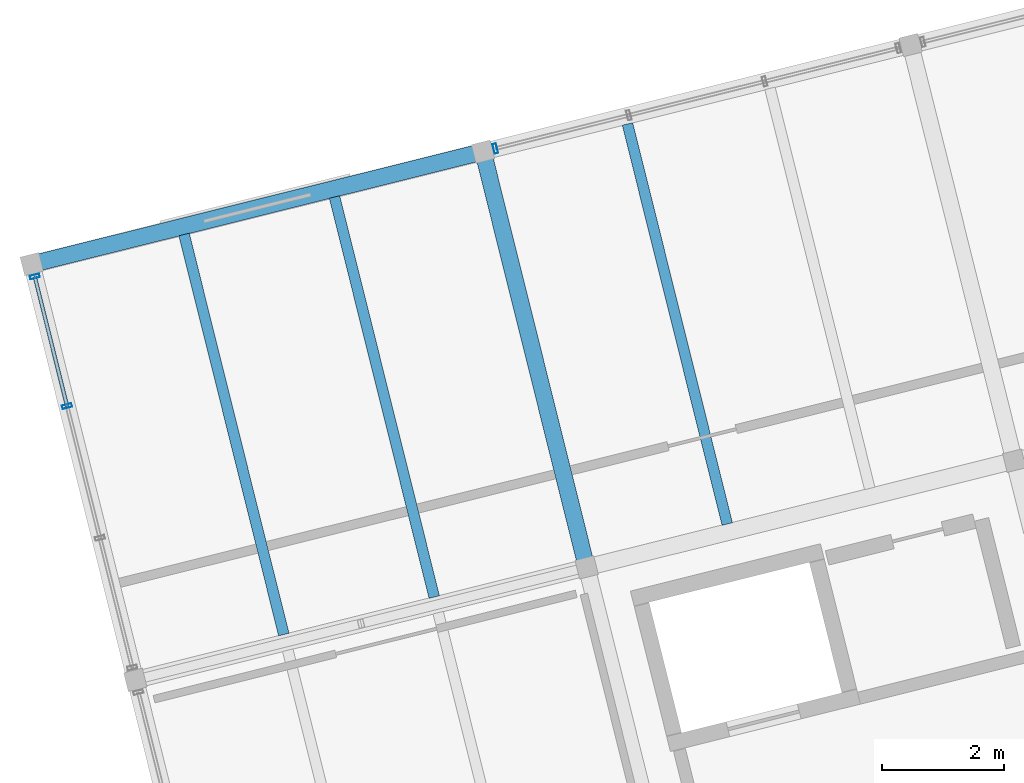
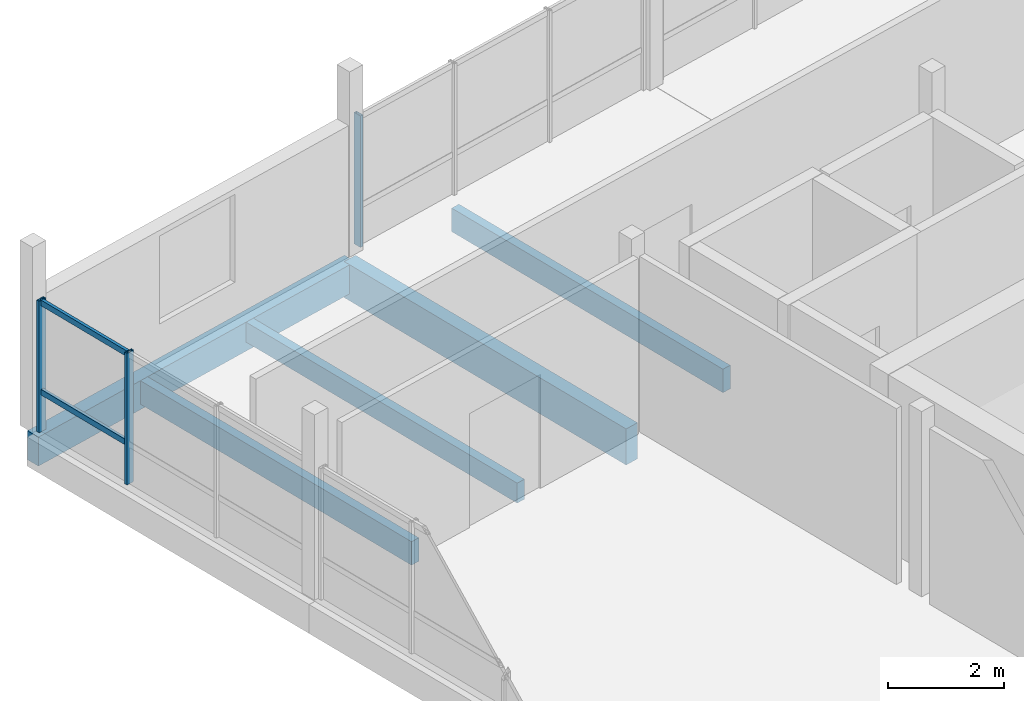
# One storey, part 11 of 25: 5 beams, 5 members, 2 elements without a shape of their own.
"""IFC4 building model written with IfcOpenShell, lengths in metres."""

import ifcopenshell
import ifcopenshell.guid

model = None  # the IFC model being written
_history = None  # IfcOwnerHistory: only IFC2X3 demands one
_inside = {}  # id of a spatial element -> (the spatial element, [elements in it])
_under = {}  # id of a project, library or spatial element -> (it, [spatial elements below it])
_declared = {}  # id of a project -> (the project, [libraries it declares])
_typed = {}  # id of a type object -> (the type object, [elements of that type])
_made_of = {}  # id of a material, layer set ... -> (it, [elements and type objects made of it])


def new_model(schema):
    """Start an empty IFC model of exactly this schema.

    Asked for "IFC4X3", IfcOpenShell would pick the latest addendum, in which some entities
    have other attributes; the version numbers below select the first issue.
    IFC2X3 requires an IfcOwnerHistory on every rooted entity: one is made here for all.
    """
    global model, _history
    if schema == "IFC4X3":
        model = ifcopenshell.file(schema_version=(4, 3, 0, 0))
    else:
        model = ifcopenshell.file(schema=schema)
    _inside.clear()
    _under.clear()
    _declared.clear()
    _typed.clear()
    _made_of.clear()
    _history = None
    if model.schema == "IFC2X3":
        org = make("IfcOrganization", Name="unknown")
        user = make(
            "IfcPersonAndOrganization",
            ThePerson=make("IfcPerson", FamilyName="unknown"),
            TheOrganization=org,
        )
        app = make(
            "IfcApplication",
            ApplicationDeveloper=org,
            Version="unknown",
            ApplicationFullName="unknown",
            ApplicationIdentifier="unknown",
        )
        _history = make(
            "IfcOwnerHistory",
            OwningUser=user,
            OwningApplication=app,
            ChangeAction="ADDED",
            CreationDate=0,
        )
    return model


def make(cls, **values):
    """One entity of the class cls with the attributes given. An attribute that is None is left unset."""
    return model.create_entity(
        cls, **{name: value for name, value in values.items() if value is not None}
    )


def rooted(cls, **values):
    """An entity with a GlobalId (a new one), such as an element, a storey or a relation."""
    return make(cls, GlobalId=ifcopenshell.guid.new(), OwnerHistory=_history, **values)


def si_unit(unit_type, name, prefix=None):
    """IfcSIUnit, for example si_unit("LENGTHUNIT", "METRE", prefix="MILLI")."""
    return make("IfcSIUnit", UnitType=unit_type, Prefix=prefix, Name=name)


def assignment(units):
    """IfcUnitAssignment: the units of a project."""
    return None if units is None else make("IfcUnitAssignment", Units=units)


def point(xyz):
    """IfcCartesianPoint."""
    return None if xyz is None else make("IfcCartesianPoint", Coordinates=xyz)


def direction(xyz):
    """IfcDirection."""
    return None if xyz is None else make("IfcDirection", DirectionRatios=xyz)


def frame(location, z_axis=None, x_axis=None):
    """IfcAxis2Placement3D, a coordinate frame: its origin and axes. An axis left out is left unset."""
    return make(
        "IfcAxis2Placement3D",
        Location=point(location),
        Axis=direction(z_axis),
        RefDirection=direction(x_axis),
    )


def frame_2d(location, x_axis=None):
    """IfcAxis2Placement2D, a coordinate frame in the plane: its origin and x axis."""
    return make(
        "IfcAxis2Placement2D", Location=point(location), RefDirection=direction(x_axis)
    )


def origin():
    """The frame at (0, 0, 0) with its axes left unset."""
    return frame((0.0, 0.0, 0.0))


def origin_2d():
    """The frame at (0, 0) in the plane with its x axis left unset."""
    return frame_2d((0.0, 0.0))


def place(relative_to, where):
    """IfcLocalPlacement: puts the frame where relative to a parent placement (None: the world)."""
    return make(
        "IfcLocalPlacement", PlacementRelTo=relative_to, RelativePlacement=where
    )


def context(
    kind, dimensions, precision=None, world=None, true_north=None, identifier=None
):
    """IfcGeometricRepresentationContext, for example the 3D "Model" context."""
    return make(
        "IfcGeometricRepresentationContext",
        ContextIdentifier=identifier,
        ContextType=kind,
        CoordinateSpaceDimension=dimensions,
        Precision=precision,
        WorldCoordinateSystem=world,
        TrueNorth=true_north,
    )


def subcontext(parent, identifier, kind, view, scale=None):
    """IfcGeometricRepresentationSubContext, for example "Body" below "Model"."""
    return make(
        "IfcGeometricRepresentationSubContext",
        ContextIdentifier=identifier,
        ContextType=kind,
        ParentContext=parent,
        TargetScale=scale,
        TargetView=view,
    )


def project(units=None, contexts=None):
    """IfcProject with its units and contexts."""
    return rooted(
        "IfcProject",
        Name="project",
        RepresentationContexts=contexts,
        UnitsInContext=assignment(units),
    )


def spatial(cls, under=None, at=None, **own):
    """A site, building, storey or space (cls), placed at a placement, below another one or the project."""
    s = rooted(cls, ObjectPlacement=at, **own)
    if under is not None:
        _under.setdefault(under.id(), (under, []))[1].append(s)
    return s


def profile(cls, at=None, kind="AREA", **sizes):
    """A parametric profile (cls). Its sizes go by their IFC names, for example OverallWidth=200.0."""
    return make(cls, ProfileType=kind, Position=at, **sizes)


def rectangle(**sizes):
    """IfcRectangleProfileDef."""
    return profile("IfcRectangleProfileDef", **sizes)


def hollow_rectangle(**sizes):
    """IfcRectangleHollowProfileDef."""
    return profile("IfcRectangleHollowProfileDef", **sizes)


def extrude(swept, where, along, depth):
    """IfcExtrudedAreaSolid: the profile swept, set in the frame where, extruded along a direction by depth."""
    return make(
        "IfcExtrudedAreaSolid",
        SweptArea=swept,
        Position=where,
        ExtrudedDirection=direction(along),
        Depth=depth,
    )


def shape(context_of_items, identifier, shape_type, items):
    """IfcShapeRepresentation: the items that make up one representation, for example the "Body"."""
    return make(
        "IfcShapeRepresentation",
        ContextOfItems=context_of_items,
        RepresentationIdentifier=identifier,
        RepresentationType=shape_type,
        Items=items,
    )


def material(Name=None, Category=None):
    """IfcMaterial."""
    return make("IfcMaterial", Name=Name, Category=Category)


def layer(
    of_material, thickness, ventilated=None, Name=None, Category=None, Priority=None
):
    """IfcMaterialLayer: one layer of a wall or slab, of a material (None: an air gap)."""
    return make(
        "IfcMaterialLayer",
        Material=of_material,
        LayerThickness=thickness,
        IsVentilated=ventilated,
        Name=Name,
        Category=Category,
        Priority=Priority,
    )


def layer_set(layers, Name=None):
    """IfcMaterialLayerSet."""
    return make("IfcMaterialLayerSet", MaterialLayers=layers, LayerSetName=Name)


def material_profile(
    of_material, cross_section, Name=None, Category=None, Priority=None
):
    """IfcMaterialProfile: a cross section and its material."""
    return make(
        "IfcMaterialProfile",
        Name=Name,
        Material=of_material,
        Profile=cross_section,
        Priority=Priority,
        Category=Category,
    )


def profile_set(profiles, Name=None, composite=None):
    """IfcMaterialProfileSet."""
    return make(
        "IfcMaterialProfileSet",
        Name=Name,
        MaterialProfiles=profiles,
        CompositeProfile=composite,
    )


def made_of(thing, what):
    """Note that an element or type object is made of a material, layer set ...; save() writes the relation."""
    if what is not None:
        _made_of.setdefault(what.id(), (what, []))[1].append(thing)
    return thing


def type_object(cls, material=None, **own):
    """A type object (cls), such as IfcWallType, which elements share."""
    return made_of(rooted(cls, **own), material)


def element(
    cls,
    number,
    at=None,
    inside=None,
    cuts=None,
    type_object=None,
    material=None,
    context=None,
    identifier="Body",
    shape_type=None,
    held_by="IfcProductDefinitionShape",
    body=None,
    shapes=None,
    **own,
):
    """One element of the class cls, such as IfcWall. Its Tag is "e" and its number.

    at: its placement. inside: the storey or other place that contains it. cuts: it is an
    opening in that element (IfcRelVoidsElement). A single representation is given by context,
    identifier, shape_type and body (its items); several are given by shapes. held_by: the class
    of the entity that holds the representations. save() writes the other relations.
    """
    e = rooted(cls, Tag="e%d" % number, ObjectPlacement=at, **own)
    if body is not None:
        shapes = [shape(context, identifier, shape_type, body)]
    if shapes is not None:
        e.Representation = make(held_by, Representations=shapes)
    if inside is not None:
        _inside.setdefault(inside.id(), (inside, []))[1].append(e)
    if cuts is not None:
        rooted(
            "IfcRelVoidsElement", RelatingBuildingElement=cuts, RelatedOpeningElement=e
        )
    if type_object is not None:
        _typed.setdefault(type_object.id(), (type_object, []))[1].append(e)
    return made_of(e, material)


def aggregate(whole, parts):
    """IfcRelAggregates: a whole, such as a stair, and the parts it consists of."""
    return rooted("IfcRelAggregates", RelatingObject=whole, RelatedObjects=parts)


def save(model, path):
    """Write the relations noted so far, then the file.

    IfcRelAggregates (storeys below a building ...), IfcRelContainedInSpatialStructure (elements
    in a storey), IfcRelDefinesByType, IfcRelAssociatesMaterial and IfcRelDeclares: one each for
    every whole, place, type object, material and project.
    """
    for whole, parts in _under.values():
        aggregate(whole, parts)
    for where, things in _inside.values():
        rooted(
            "IfcRelContainedInSpatialStructure",
            RelatedElements=things,
            RelatingStructure=where,
        )
    for kind, things in _typed.values():
        rooted("IfcRelDefinesByType", RelatedObjects=things, RelatingType=kind)
    for what, things in _made_of.values():
        rooted("IfcRelAssociatesMaterial", RelatedObjects=things, RelatingMaterial=what)
    for by, libraries in _declared.values():
        rooted("IfcRelDeclares", RelatingContext=by, RelatedDefinitions=libraries)
    model.write(path)


model = new_model("IFC4")

# Units and contexts
model_context = context("Model", 3, precision=1e-05, world=origin(), true_north=direction((0.0, 1.0)))
body_context = subcontext(model_context, "Body", "Model", "MODEL_VIEW")
ifc_project = project(units=[si_unit("LENGTHUNIT", "METRE"), si_unit("AREAUNIT", "SQUARE_METRE"), si_unit("VOLUMEUNIT", "CUBIC_METRE"), si_unit("PLANEANGLEUNIT", "RADIAN"), si_unit("MASSUNIT", "GRAM", prefix="KILO")], contexts=[model_context])

# Site, building, storey
site_placement = place(None, origin())
site = spatial("IfcSite", under=ifc_project, at=site_placement, CompositionType="ELEMENT")
building_placement = place(site_placement, origin())
building = spatial("IfcBuilding", under=site, at=building_placement, Name="Meriwether Solvik Hall", CompositionType="ELEMENT")
storey_placement = place(building_placement, frame((0.0, 0.0, 53.39990234375)))
storey = spatial("IfcBuildingStorey", under=building, at=storey_placement, Name="L13", CompositionType="ELEMENT", Elevation=53.39990234375)

# Beams
ifc_material_1 = material(Name="Glulam Douglas-Fir 24F-V8 GL28h", Category="wood")
ifc_material_profile_1 = material_profile(ifc_material_1, rectangle(XDim=0.27294921875, YDim=0.610107421875, at=origin_2d()), Name="GLB-273X610")
ifc_profile_set_1 = profile_set([ifc_material_profile_1], Name="Glulam Douglas-Fir 24F-V8 GL28h")
beam_type_1 = type_object("IfcBeamType", Name="BM-GL-273X610", PredefinedType="SPANDREL", material=ifc_profile_set_1)
beam_1_placement = place(storey_placement, frame((61.826171875, 68.3681640625, -0.48486328125), z_axis=(0.970295366785, 0.241923337436, 0.0), x_axis=(-0.241923337436, 0.970295366785, 0.0)))
element("IfcBeam", 1, at=beam_1_placement, inside=storey, type_object=beam_type_1, Name="Tower Girder TE:T1-T2 (L13)", PredefinedType="SPANDREL", context=body_context, shape_type="SweptSolid", body=[
    extrude(rectangle(XDim=0.27294921875, YDim=0.610107421875, at=origin_2d()), origin(), (0.0, 0.0, 1.0), 7.60009765625),
])
ifc_material_2 = material(Name="Glulam Douglas-Fir 24F-V8 GL28h", Category="wood")
ifc_material_profile_2 = material_profile(ifc_material_2, rectangle(XDim=0.27294921875, YDim=0.760009765625, at=origin_2d()), Name="GLB-273X760")
ifc_profile_set_2 = profile_set([ifc_material_profile_2], Name="Glulam Douglas-Fir 24F-V8 GL28h")
beam_type_2 = type_object("IfcBeamType", Name="BM-GL-273X760", PredefinedType="BEAM", material=ifc_profile_set_2)
beam_2_placement = place(storey_placement, frame((70.893798828125, 63.414794921875, -0.559814453125), z_axis=(-0.241911879182, 0.970298223594, 0.0), x_axis=(-0.970298223594, -0.241911879182, 0.0)))
element("IfcBeam", 2, at=beam_2_placement, inside=storey, type_object=beam_type_2, Name="Tower Girder T2:TD-TE (L13)", PredefinedType="BEAM", context=body_context, shape_type="SweptSolid", body=[
    extrude(rectangle(XDim=0.27294921875, YDim=0.760009765625, at=origin_2d()), origin(), (0.0, 0.0, 1.0), 7.0),
])

# Curtain wall, member
ifc_material_3 = material(Name="Thermally Broken Anodised Aluminium 6063-T6 and Low-E Glass", Category="aluminium")
ifc_layer_1 = layer(ifc_material_3, 0.179931640625)
ifc_layer_set_1 = layer_set([ifc_layer_1], Name="Thermally Broken Anodised Aluminium 6063-T6 and Low-E Glass")
curtain_wall_type_1 = type_object("IfcCurtainWallType", Name="CW-UNIT-G", PredefinedType="USERDEFINED", material=ifc_layer_set_1)
curtain_wall_1_placement = place(storey_placement, origin())
curtain_wall_1 = element("IfcCurtainWall", 3, at=curtain_wall_1_placement, inside=storey, type_object=curtain_wall_type_1, Name="Curtain Wall E2_B1 (L13)", ObjectType="UNITISED CURTAIN WALL", PredefinedType="USERDEFINED")
ifc_material_4 = material(Name="Anodised Aluminium 6063-T6", Category="aluminium")
ifc_material_profile_3 = material_profile(ifc_material_4, hollow_rectangle(XDim=0.06005859375, YDim=0.159912109375, WallThickness=0.00390625, at=origin_2d()), Name="CWM-60X160")
ifc_profile_set_3 = profile_set([ifc_material_profile_3], Name="Anodised Aluminium 6063-T6")
member_type_1 = type_object("IfcMemberType", Name="CW-MUL-60X160", PredefinedType="MULLION", material=ifc_profile_set_3)
member_1_placement = place(storey_placement, frame((69.40185546875, 70.257080078125, 0.0), z_axis=(0.0, 0.0, 1.0), x_axis=(0.970295730764, 0.241921877598, 0.0)))
member_1 = element("IfcMember", 4, at=member_1_placement, type_object=member_type_1, Name="Curtain Wall Mullion 1", PredefinedType="MULLION", context=body_context, shape_type="SweptSolid", body=[
    extrude(hollow_rectangle(XDim=0.06005859375, YDim=0.159912109375, WallThickness=0.00390625, at=origin_2d()), origin(), (0.0, 0.0, 1.0), 2.77001953125),
])
aggregate(curtain_wall_1, [member_1])

# Curtain wall, members
ifc_material_5 = material(Name="Thermally Broken Anodised Aluminium 6063-T6 and Low-E Glass", Category="aluminium")
ifc_layer_2 = layer(ifc_material_5, 0.179931640625)
ifc_layer_set_2 = layer_set([ifc_layer_2], Name="Thermally Broken Anodised Aluminium 6063-T6 and Low-E Glass")
curtain_wall_type_2 = type_object("IfcCurtainWallType", Name="CW-UNIT-C", PredefinedType="USERDEFINED", material=ifc_layer_set_2)
curtain_wall_2_placement = place(storey_placement, origin())
curtain_wall_2 = element("IfcCurtainWall", 5, at=curtain_wall_2_placement, inside=storey, type_object=curtain_wall_type_2, Name="Curtain Wall E3_B3 (L13)", ObjectType="UNITISED CURTAIN WALL", PredefinedType="USERDEFINED")
member_2_placement = place(storey_placement, frame((62.404296875, 66.049560546875, 0.0), z_axis=(0.0, 0.0, 1.0), x_axis=(-0.241921784185, 0.970295754055, 0.0)))
member_2 = element("IfcMember", 6, at=member_2_placement, type_object=member_type_1, Name="Curtain Wall Mullion 3", PredefinedType="MULLION", context=body_context, shape_type="SweptSolid", body=[
    extrude(hollow_rectangle(XDim=0.06005859375, YDim=0.159912109375, WallThickness=0.00390625, at=origin_2d()), origin(), (0.0, 0.0, 1.0), 2.77001953125),
])
member_3_placement = place(storey_placement, frame((61.87646484375, 68.1669921875, 0.0), z_axis=(0.0, 0.0, 1.0), x_axis=(-0.241921784185, 0.970295754055, 0.0)))
member_3 = element("IfcMember", 7, at=member_3_placement, type_object=member_type_1, Name="Curtain Wall Mullion 4", PredefinedType="MULLION", context=body_context, shape_type="SweptSolid", body=[
    extrude(hollow_rectangle(XDim=0.06005859375, YDim=0.159912109375, WallThickness=0.00390625, at=origin_2d()), origin(), (0.0, 0.0, 1.0), 2.77001953125),
])
ifc_material_6 = material(Name="Anodised Aluminium 6063-T6", Category="aluminium")
ifc_material_profile_4 = material_profile(ifc_material_6, hollow_rectangle(XDim=0.06005859375, YDim=0.1201171875, WallThickness=0.00390625, at=origin_2d()), Name="CWT-60X120")
ifc_profile_set_4 = profile_set([ifc_material_profile_4], Name="Anodised Aluminium 6063-T6")
member_type_2 = type_object("IfcMemberType", Name="CW-TRN-60X120", PredefinedType="USERDEFINED", material=ifc_profile_set_4)
member_4_placement = place(storey_placement, frame((62.404296875, 66.049560546875, 0.8310546875), z_axis=(-0.241877470874, 0.970306801524, 0.0), x_axis=(-0.970306801524, -0.241877470874, 0.0)))
member_4 = element("IfcMember", 8, at=member_4_placement, type_object=member_type_2, Name="Curtain Wall Transom 3-sill", ObjectType="TRANSOM", PredefinedType="USERDEFINED", context=body_context, shape_type="SweptSolid", body=[
    extrude(hollow_rectangle(XDim=0.06005859375, YDim=0.1201171875, WallThickness=0.00390625, at=origin_2d()), origin(), (0.0, 0.0, 1.0), 2.18212890625),
])
member_5_placement = place(storey_placement, frame((62.404296875, 66.049560546875, 2.710205078125), z_axis=(-0.241877470874, 0.970306801524, 0.0), x_axis=(-0.970306801524, -0.241877470874, 0.0)))
member_5 = element("IfcMember", 9, at=member_5_placement, type_object=member_type_2, Name="Curtain Wall Transom 3-head", ObjectType="TRANSOM", PredefinedType="USERDEFINED", context=body_context, shape_type="SweptSolid", body=[
    extrude(hollow_rectangle(XDim=0.06005859375, YDim=0.1201171875, WallThickness=0.00390625, at=origin_2d()), origin(), (0.0, 0.0, 1.0), 2.18212890625),
])
aggregate(curtain_wall_2, [member_2, member_3, member_4, member_5])

# Beams
ifc_material_7 = material(Name="Glulam Douglas-Fir 24F-V8 GL28h", Category="wood")
ifc_material_profile_5 = material_profile(ifc_material_7, rectangle(XDim=0.175048828125, YDim=0.419921875, at=origin_2d()), Name="GLJ-175X420")
ifc_profile_set_5 = profile_set([ifc_material_profile_5], Name="Glulam Douglas-Fir 24F-V8 GL28h")
beam_type_3 = type_object("IfcBeamType", Name="JST-GL-175X420", PredefinedType="JOIST", material=ifc_profile_set_5)
beam_3_placement = place(storey_placement, frame((68.404052734375, 62.929443359375, -0.389892578125), z_axis=(-0.241921670289, 0.970295782452, 0.0), x_axis=(-0.970295782452, -0.241921670289, 0.0)))
element("IfcBeam", 10, at=beam_3_placement, inside=storey, type_object=beam_type_3, Name="Glulam Floor Joist T1/TD-J2 (L13)", PredefinedType="JOIST", context=body_context, shape_type="SweptSolid", body=[
    extrude(rectangle(XDim=0.175048828125, YDim=0.419921875, at=origin_2d()), origin(), (0.0, 0.0, 1.0), 6.7373046875),
])
ifc_material_8 = material(Name="Glulam Douglas-Fir 24F-V8 GL28h", Category="wood")
ifc_material_profile_6 = material_profile(ifc_material_8, rectangle(XDim=0.175048828125, YDim=0.4951171875, at=origin_2d()), Name="GLJ-175X495")
ifc_profile_set_6 = profile_set([ifc_material_profile_6], Name="Glulam Douglas-Fir 24F-V8 GL28h")
beam_type_4 = type_object("IfcBeamType", Name="JST-GL-175X495", PredefinedType="JOIST", material=ifc_profile_set_6)
for number, where, z_axis, x_axis, name in (
    (11, (65.94580078125, 62.316650390625, -0.427490234375), (-0.241896058636, 0.970302167789, 0.0), (-0.970302167789, -0.241896058636, 0.0), "Glulam Floor Joist T1/TD-J1 (L13)"),
    (12, (73.190673828125, 64.123046875, -0.427490234375), (-0.241896058636, 0.970302167789, 0.0), (-0.970302167789, -0.241896058636, 0.0), "Glulam Floor Joist T2/TD-J1 (L13)"),
):
    element("IfcBeam", number, at=place(storey_placement, frame(where, z_axis=z_axis, x_axis=x_axis)), inside=storey, type_object=beam_type_4, Name=name, PredefinedType="JOIST", context=body_context, shape_type="SweptSolid", body=[
        extrude(rectangle(XDim=0.175048828125, YDim=0.4951171875, at=origin_2d()), origin(), (0.0, 0.0, 1.0), 6.73681640625),
    ])

save(model, "model.ifc")
